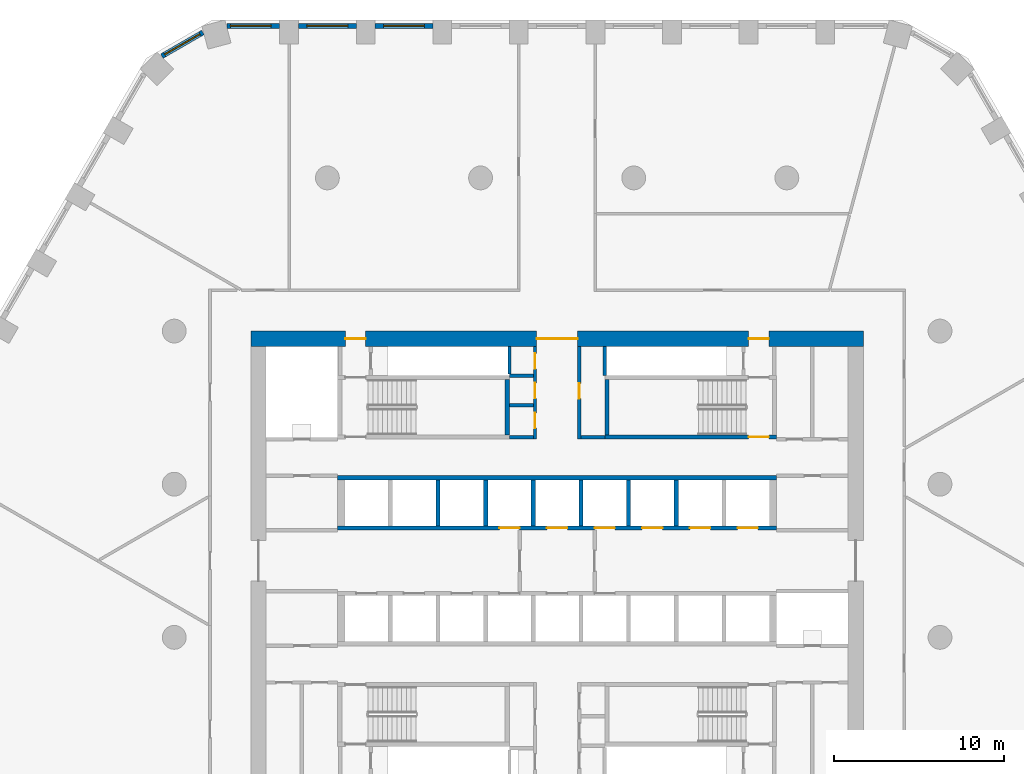
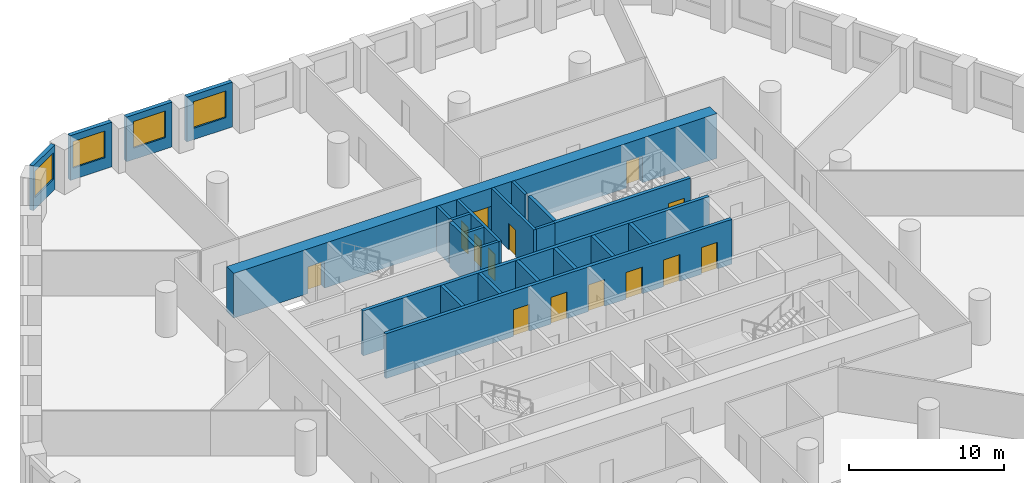
# One storey, part 6 of 10: 24 walls, 14 doors, 4 windows, 18 openings.
"""IFC4 building model written with IfcOpenShell, lengths in metres."""

from ifc_helpers import new_model, si_unit, direction, frame, frame_2d, origin, place, context, subcontext, project, spatial, polyline, rectangle, outline, extrude, material, layer, layer_set, type_object, element, fill, save


model = new_model("IFC4")

# Units and contexts
model_context = context("Model", 3, precision=1e-05, world=origin(), true_north=direction((0.0, 1.0)))
body_context = subcontext(model_context, "Body", "Model", "MODEL_VIEW")
ifc_project = project(units=[si_unit("LENGTHUNIT", "METRE"), si_unit("AREAUNIT", "SQUARE_METRE"), si_unit("VOLUMEUNIT", "CUBIC_METRE"), si_unit("PLANEANGLEUNIT", "RADIAN"), si_unit("MASSUNIT", "GRAM", prefix="KILO")], contexts=[model_context])

# Site, building, storey
site_placement = place(None, origin())
site = spatial("IfcSite", under=ifc_project, at=site_placement, CompositionType="ELEMENT")
building_placement = place(site_placement, origin())
building = spatial("IfcBuilding", under=site, at=building_placement, Name="Dhurran Vertical Campus", CompositionType="ELEMENT")
storey_placement = place(building_placement, frame((0.0, 0.0, 45.60009765625)))
storey = spatial("IfcBuildingStorey", under=building, at=storey_placement, Name="L10", CompositionType="ELEMENT", Elevation=45.60009765625)

# Wall, opening, window
ifc_material_1 = material(Name="Precast concrete C50/60", Category="concrete")
ifc_layer_1 = layer(ifc_material_1, 0.300048828125)
ifc_layer_set_1 = layer_set([ifc_layer_1], Name="Precast concrete C50/60")
wall_type_1 = type_object("IfcWallType", Name="Precast spandrel wall 300", PredefinedType="SOLIDWALL", material=ifc_layer_set_1)
wall_1_placement = place(storey_placement, frame((-7.300537109375, 31.4296875, 0.0), z_axis=(0.0, 0.0, 1.0), x_axis=(-1.0, 0.0, 0.0)))
wall_1 = element("IfcWall", 1, at=wall_1_placement, inside=storey, type_object=wall_type_1, Name="EW1 L10.32", PredefinedType="SOLIDWALL", context=body_context, shape_type="SweptSolid", body=[
    extrude(rectangle(XDim=3.39892578125, YDim=0.300048828125, at=frame_2d((1.699462890625, 0.0))), origin(), (0.0, 0.0, 1.0), 3.52490234375),
])
opening_1_placement = place(wall_1_placement, frame((0.49951171875, 0.0, 0.89990234375)))
opening_1 = element("IfcOpeningElement", 2, at=opening_1_placement, cuts=wall_1, Name="Opening WT1", PredefinedType="OPENING", context=body_context, shape_type="SweptSolid", body=[
    extrude(rectangle(XDim=2.39990234375, YDim=2.10009765625, at=frame_2d((1.199951171875, 1.050048828125))), frame((0.0, 0.159912109375, 0.0), z_axis=(0.0, -1.0, 0.0), x_axis=(1.0, 0.0, 0.0)), (0.0, 0.0, 1.0), 0.320068359375),
])
ifc_material_2 = material(Name="Aluminium frame with solar-control glass", Category="aluminium")
window_type = type_object("IfcWindowType", Name="Punched window 2400 x 2100", PartitioningType="SINGLE_PANEL", PredefinedType="WINDOW", material=ifc_material_2)
window_1_placement = place(opening_1_placement, origin())
window_1 = element("IfcWindow", 3, at=window_1_placement, inside=storey, type_object=window_type, Name="WT1 L10.32", OverallHeight=2.10009765625, OverallWidth=2.39990234375, PartitioningType="SINGLE_PANEL", PredefinedType="WINDOW", context=body_context, shape_type="SweptSolid", body=[
    extrude(rectangle(XDim=2.39990234375, YDim=2.10009765625, at=frame_2d((1.199951171875, 1.050048828125))), frame((0.0, 0.030029296875, 0.0), z_axis=(0.0, -1.0, 0.0), x_axis=(1.0, 0.0, 0.0)), (0.0, 0.0, 1.0), 0.06005859375),
])
fill(opening_1, window_1)

wall_2_placement = place(storey_placement, frame((-11.800537109375, 31.4296875, 0.0), z_axis=(0.0, 0.0, 1.0), x_axis=(-1.0, 0.0, 0.0)))
wall_2 = element("IfcWall", 4, at=wall_2_placement, inside=storey, type_object=wall_type_1, Name="EW1 L10.33", PredefinedType="SOLIDWALL", context=body_context, shape_type="SweptSolid", body=[
    extrude(rectangle(XDim=3.39892578125, YDim=0.300048828125, at=frame_2d((1.699462890625, 0.0))), origin(), (0.0, 0.0, 1.0), 3.52490234375),
])
opening_2_placement = place(wall_2_placement, frame((0.49951171875, 0.0, 0.89990234375)))
opening_2 = element("IfcOpeningElement", 5, at=opening_2_placement, cuts=wall_2, Name="Opening WT1", PredefinedType="OPENING", context=body_context, shape_type="SweptSolid", body=[
    extrude(rectangle(XDim=2.39990234375, YDim=2.10009765625, at=frame_2d((1.199951171875, 1.050048828125))), frame((0.0, 0.159912109375, 0.0), z_axis=(0.0, -1.0, 0.0), x_axis=(1.0, 0.0, 0.0)), (0.0, 0.0, 1.0), 0.320068359375),
])
window_2_placement = place(opening_2_placement, origin())
window_2 = element("IfcWindow", 6, at=window_2_placement, inside=storey, type_object=window_type, Name="WT1 L10.33", OverallHeight=2.10009765625, OverallWidth=2.39990234375, PartitioningType="SINGLE_PANEL", PredefinedType="WINDOW", context=body_context, shape_type="SweptSolid", body=[
    extrude(rectangle(XDim=2.39990234375, YDim=2.10009765625, at=frame_2d((1.199951171875, 1.050048828125))), frame((0.0, 0.030029296875, 0.0), z_axis=(0.0, -1.0, 0.0), x_axis=(1.0, 0.0, 0.0)), (0.0, 0.0, 1.0), 0.06005859375),
])
fill(opening_2, window_2)

wall_3_placement = place(storey_placement, frame((-16.300537109375, 31.4296875, 0.0), z_axis=(0.0, 0.0, 1.0), x_axis=(-1.0, 0.0, 0.0)))
wall_3 = element("IfcWall", 7, at=wall_3_placement, inside=storey, type_object=wall_type_1, Name="EW1 L10.34", PredefinedType="SOLIDWALL", context=body_context, shape_type="SweptSolid", body=[
    extrude(rectangle(XDim=3.090576171875, YDim=0.300048828125, at=frame_2d((1.54541015625, 0.0))), origin(), (0.0, 0.0, 1.0), 3.52490234375),
])
opening_3_placement = place(wall_3_placement, frame((0.49951171875, 0.0, 0.89990234375)))
opening_3 = element("IfcOpeningElement", 8, at=opening_3_placement, cuts=wall_3, Name="Opening WT1", PredefinedType="OPENING", context=body_context, shape_type="SweptSolid", body=[
    extrude(rectangle(XDim=2.39990234375, YDim=2.10009765625, at=frame_2d((1.199951171875, 1.050048828125))), frame((0.0, 0.159912109375, 0.0), z_axis=(0.0, -1.0, 0.0), x_axis=(1.0, 0.0, 0.0)), (0.0, 0.0, 1.0), 0.320068359375),
])
window_3_placement = place(opening_3_placement, origin())
window_3 = element("IfcWindow", 9, at=window_3_placement, inside=storey, type_object=window_type, Name="WT1 L10.34", OverallHeight=2.10009765625, OverallWidth=2.39990234375, PartitioningType="SINGLE_PANEL", PredefinedType="WINDOW", context=body_context, shape_type="SweptSolid", body=[
    extrude(rectangle(XDim=2.39990234375, YDim=2.10009765625, at=frame_2d((1.199951171875, 1.050048828125))), frame((0.0, 0.030029296875, 0.0), z_axis=(0.0, -1.0, 0.0), x_axis=(1.0, 0.0, 0.0)), (0.0, 0.0, 1.0), 0.06005859375),
])
fill(opening_3, window_3)

wall_4_placement = place(storey_placement, frame((-20.81884765625, 31.047119140625, 0.0), z_axis=(0.0, 0.0, 1.0), x_axis=(-0.866020456713, -0.500008568482, 0.0)))
wall_4 = element("IfcWall", 10, at=wall_4_placement, inside=storey, type_object=wall_type_1, Name="EW1 L10.35", PredefinedType="SOLIDWALL", context=body_context, shape_type="SweptSolid", body=[
    extrude(rectangle(XDim=2.7822265625, YDim=0.300048828125, at=frame_2d((1.39111328125, 0.0))), origin(), (0.0, 0.0, 1.0), 3.52490234375),
])
opening_4_placement = place(wall_4_placement, frame((0.191162109375, 0.0, 0.89990234375)))
opening_4 = element("IfcOpeningElement", 11, at=opening_4_placement, cuts=wall_4, Name="Opening WT1", PredefinedType="OPENING", context=body_context, shape_type="SweptSolid", body=[
    extrude(rectangle(XDim=2.39990234375, YDim=2.10009765625, at=frame_2d((1.199951171875, 1.050048828125))), frame((0.0, 0.159912109375, 0.0), z_axis=(0.0, -1.0, 0.0), x_axis=(1.0, 0.0, 0.0)), (0.0, 0.0, 1.0), 0.320068359375),
])
window_4_placement = place(opening_4_placement, origin())
window_4 = element("IfcWindow", 12, at=window_4_placement, inside=storey, type_object=window_type, Name="WT1 L10.35", OverallHeight=2.10009765625, OverallWidth=2.39990234375, PartitioningType="SINGLE_PANEL", PredefinedType="WINDOW", context=body_context, shape_type="SweptSolid", body=[
    extrude(rectangle(XDim=2.39990234375, YDim=2.10009765625, at=frame_2d((1.199951171875, 1.050048828125))), frame((0.0, 0.030029296875, 0.0), z_axis=(0.0, -1.0, 0.0), x_axis=(1.0, 0.0, 0.0)), (0.0, 0.0, 1.0), 0.06005859375),
])
fill(opening_4, window_4)

# Wall, openings, doors
ifc_material_3 = material(Name="Concrete C60/75", Category="concrete")
ifc_layer_2 = layer(ifc_material_3, 0.89990234375)
ifc_layer_set_2 = layer_set([ifc_layer_2], Name="Concrete C60/75")
wall_type_2 = type_object("IfcWallType", Name="co-CORE-WALL-C0-900", PredefinedType="SHEAR", material=ifc_layer_set_2)
wall_5_placement = place(storey_placement, frame((-18.0, 13.050048828125, 0.0), z_axis=(0.0, 0.0, 1.0), x_axis=(1.0, 0.0, 0.0)))
wall_5 = element("IfcWall", 13, at=wall_5_placement, inside=storey, type_object=wall_type_2, Name="Core wall N L10", PredefinedType="SHEAR", context=body_context, shape_type="SweptSolid", body=[
    extrude(rectangle(XDim=36.0, YDim=0.89990234375, at=frame_2d((18.0, 0.0))), origin(), (0.0, 0.0, 1.0), 3.52490234375),
])
opening_5_placement = place(wall_5_placement, frame((16.800048828125, 0.0, 0.0)))
opening_5 = element("IfcOpeningElement", 14, at=opening_5_placement, cuts=wall_5, Name="Opening CV1", PredefinedType="OPENING", context=body_context, shape_type="SweptSolid", body=[
    extrude(rectangle(XDim=2.39990234375, YDim=2.10009765625, at=frame_2d((1.199951171875, 1.050048828125))), frame((0.0, 0.4599609375, 0.0), z_axis=(0.0, -1.0, 0.0), x_axis=(1.0, 0.0, 0.0)), (0.0, 0.0, 1.0), 0.919921875),
])
opening_6_placement = place(wall_5_placement, frame((5.550048828125, 0.0, 0.0)))
opening_6 = element("IfcOpeningElement", 15, at=opening_6_placement, cuts=wall_5, Name="Opening XD1", PredefinedType="OPENING", context=body_context, shape_type="SweptSolid", body=[
    extrude(rectangle(XDim=1.199951171875, YDim=2.10009765625, at=frame_2d((0.60009765625, 1.050048828125))), frame((0.0, 0.4599609375, 0.0), z_axis=(0.0, -1.0, 0.0), x_axis=(1.0, 0.0, 0.0)), (0.0, 0.0, 1.0), 0.919921875),
])
opening_7_placement = place(wall_5_placement, frame((29.25, 0.0, 0.0)))
opening_7 = element("IfcOpeningElement", 16, at=opening_7_placement, cuts=wall_5, Name="Opening XD2", PredefinedType="OPENING", context=body_context, shape_type="SweptSolid", body=[
    extrude(rectangle(XDim=1.199951171875, YDim=2.10009765625, at=frame_2d((0.60009765625, 1.050048828125))), frame((0.0, 0.4599609375, 0.0), z_axis=(0.0, -1.0, 0.0), x_axis=(1.0, 0.0, 0.0)), (0.0, 0.0, 1.0), 0.919921875),
])
ifc_material_4 = material(Name="Fire-rated glazed door set")
door_type_1 = type_object("IfcDoorType", Name="co-D-LOBBY 2400x2100", OperationType="DOUBLE_DOOR_DOUBLE_SWING", PredefinedType="DOOR", material=ifc_material_4)
door_1_placement = place(opening_5_placement, origin())
door_1 = element("IfcDoor", 17, at=door_1_placement, inside=storey, type_object=door_type_1, Name="Core vestibule door N L10", OperationType="DOUBLE_DOOR_DOUBLE_SWING", OverallHeight=2.10009765625, OverallWidth=2.39990234375, PredefinedType="DOOR", context=body_context, shape_type="SweptSolid", body=[
    extrude(rectangle(XDim=2.39990234375, YDim=2.10009765625, at=frame_2d((1.199951171875, 1.050048828125))), frame((0.0, 0.02490234375, 0.0), z_axis=(0.0, -1.0, 0.0), x_axis=(1.0, 0.0, 0.0)), (0.0, 0.0, 1.0), 0.050048828125),
])
fill(opening_5, door_1)
ifc_material_5 = material(Name="Fire-rated steel door set", Category="steel")
door_type_2 = type_object("IfcDoorType", Name="co-D-STAIR-EXIT 1200x2100", OperationType="SINGLE_SWING_RIGHT", PredefinedType="DOOR", material=ifc_material_5)
door_2_placement = place(opening_6_placement, origin())
door_2 = element("IfcDoor", 18, at=door_2_placement, inside=storey, type_object=door_type_2, Name="Stair ST1 exit door L10", OperationType="SINGLE_SWING_RIGHT", OverallHeight=2.10009765625, OverallWidth=1.199951171875, PredefinedType="DOOR", context=body_context, shape_type="SweptSolid", body=[
    extrude(rectangle(XDim=1.199951171875, YDim=2.10009765625, at=frame_2d((0.60009765625, 1.050048828125))), frame((0.0, 0.02490234375, 0.0), z_axis=(0.0, -1.0, 0.0), x_axis=(1.0, 0.0, 0.0)), (0.0, 0.0, 1.0), 0.050048828125),
])
fill(opening_6, door_2)
door_3_placement = place(opening_7_placement, origin())
door_3 = element("IfcDoor", 19, at=door_3_placement, inside=storey, type_object=door_type_2, Name="Stair ST2 exit door L10", OperationType="SINGLE_SWING_RIGHT", OverallHeight=2.10009765625, OverallWidth=1.199951171875, PredefinedType="DOOR", context=body_context, shape_type="SweptSolid", body=[
    extrude(rectangle(XDim=1.199951171875, YDim=2.10009765625, at=frame_2d((0.60009765625, 1.050048828125))), frame((0.0, 0.02490234375, 0.0), z_axis=(0.0, -1.0, 0.0), x_axis=(1.0, 0.0, 0.0)), (0.0, 0.0, 1.0), 0.050048828125),
])
fill(opening_7, door_3)

# Walls
ifc_material_6 = material(Name="Fire-rated masonry blockwork", Category="masonry")
ifc_layer_3 = layer(ifc_material_6, 0.199951171875)
ifc_layer_set_3 = layer_set([ifc_layer_3], Name="Fire-rated masonry blockwork")
wall_type_3 = type_object("IfcWallType", Name="co-FIRE-PARTITION-200", PredefinedType="PARTITIONING", material=ifc_layer_set_3)
for number, where, z_axis, x_axis, name in (
    (20, (-2.800048828125, 7.25, 0.0), (0.0, 0.0, 1.0), (1.0, 0.0, 0.0), "Core partition sl-NW-S L10"),
    (21, (-2.800048828125, 9.135009765625, 0.0), (0.0, 0.0, 1.0), (1.0, 0.0, 0.0), "Core partition sl-NW-cut0 L10"),
    (22, (-2.800048828125, 10.867431640625, 0.0), (0.0, 0.0, 1.0), (1.0, 0.0, 0.0), "Core partition sl-NW-cut1 L10"),
    (23, (1.39990234375, 7.25, 0.0), (0.0, 0.0, 1.0), (1.0, 0.0, 0.0), "Core partition sl-NE-S L10"),
):
    element("IfcWall", number, at=place(storey_placement, frame(where, z_axis=z_axis, x_axis=x_axis)), inside=storey, type_object=wall_type_3, Name=name, PredefinedType="PARTITIONING", context=body_context, shape_type="SweptSolid", body=[
        extrude(rectangle(XDim=1.400146484375, YDim=0.199951171875, at=frame_2d((0.7001953125, 0.0))), origin(), (0.0, 0.0, 1.0), 3.52490234375),
    ])

# Wall, openings, doors
wall_6_placement = place(storey_placement, frame((-1.300048828125, 7.14990234375, 0.0), z_axis=(0.0, 0.0, 1.0), x_axis=(0.0, 1.0, 0.0)))
wall_6 = element("IfcWall", 24, at=wall_6_placement, inside=storey, type_object=wall_type_3, Name="Core partition vest-NW L10", PredefinedType="PARTITIONING", context=body_context, shape_type="SweptSolid", body=[
    extrude(rectangle(XDim=5.4501953125, YDim=0.199951171875, at=frame_2d((2.72509765625, 0.0))), origin(), (0.0, 0.0, 1.0), 3.52490234375),
])
opening_8_placement = place(wall_6_placement, frame((0.642578125, 0.0, 0.0)))
opening_8 = element("IfcOpeningElement", 25, at=opening_8_placement, cuts=wall_6, Name="Opening T02-C6", PredefinedType="OPENING", context=body_context, shape_type="SweptSolid", body=[
    extrude(rectangle(XDim=0.89990234375, YDim=2.10009765625, at=frame_2d((0.449951171875, 1.050048828125))), frame((0.0, 0.10986328125, 0.0), z_axis=(0.0, -1.0, 0.0), x_axis=(1.0, 0.0, 0.0)), (0.0, 0.0, 1.0), 0.219970703125),
])
opening_9_placement = place(wall_6_placement, frame((2.401123046875, 0.0, 0.0)))
opening_9 = element("IfcOpeningElement", 26, at=opening_9_placement, cuts=wall_6, Name="Opening T02-C7", PredefinedType="OPENING", context=body_context, shape_type="SweptSolid", body=[
    extrude(rectangle(XDim=0.89990234375, YDim=2.10009765625, at=frame_2d((0.449951171875, 1.050048828125))), frame((0.0, 0.10986328125, 0.0), z_axis=(0.0, -1.0, 0.0), x_axis=(1.0, 0.0, 0.0)), (0.0, 0.0, 1.0), 0.219970703125),
])
opening_10_placement = place(wall_6_placement, frame((4.1337890625, 0.0, 0.0)))
opening_10 = element("IfcOpeningElement", 27, at=opening_10_placement, cuts=wall_6, Name="Opening T02-C8", PredefinedType="OPENING", context=body_context, shape_type="SweptSolid", body=[
    extrude(rectangle(XDim=0.89990234375, YDim=2.10009765625, at=frame_2d((0.449951171875, 1.050048828125))), frame((0.0, 0.10986328125, 0.0), z_axis=(0.0, -1.0, 0.0), x_axis=(1.0, 0.0, 0.0)), (0.0, 0.0, 1.0), 0.219970703125),
])
ifc_material_7 = material(Name="Fire-rated timber door set", Category="wood")
door_type_3 = type_object("IfcDoorType", Name="co-D-ROOM 900x2100", OperationType="SINGLE_SWING_LEFT", PredefinedType="DOOR", material=ifc_material_7)
door_4_placement = place(opening_8_placement, origin())
door_4 = element("IfcDoor", 28, at=door_4_placement, inside=storey, type_object=door_type_3, Name="Waste room door L10", OperationType="SINGLE_SWING_LEFT", OverallHeight=2.10009765625, OverallWidth=0.89990234375, PredefinedType="DOOR", context=body_context, shape_type="SweptSolid", body=[
    extrude(rectangle(XDim=0.89990234375, YDim=2.10009765625, at=frame_2d((0.449951171875, 1.050048828125))), frame((0.0, 0.02490234375, 0.0), z_axis=(0.0, -1.0, 0.0), x_axis=(1.0, 0.0, 0.0)), (0.0, 0.0, 1.0), 0.050048828125),
])
fill(opening_8, door_4)
door_5_placement = place(opening_9_placement, origin())
door_5 = element("IfcDoor", 29, at=door_5_placement, inside=storey, type_object=door_type_3, Name="Pantry door L10", OperationType="SINGLE_SWING_LEFT", OverallHeight=2.10009765625, OverallWidth=0.89990234375, PredefinedType="DOOR", context=body_context, shape_type="SweptSolid", body=[
    extrude(rectangle(XDim=0.89990234375, YDim=2.10009765625, at=frame_2d((0.449951171875, 1.050048828125))), frame((0.0, 0.02490234375, 0.0), z_axis=(0.0, -1.0, 0.0), x_axis=(1.0, 0.0, 0.0)), (0.0, 0.0, 1.0), 0.050048828125),
])
fill(opening_9, door_5)
door_6_placement = place(opening_10_placement, origin())
door_6 = element("IfcDoor", 30, at=door_6_placement, inside=storey, type_object=door_type_3, Name="Cleaner's store door L10", OperationType="SINGLE_SWING_LEFT", OverallHeight=2.10009765625, OverallWidth=0.89990234375, PredefinedType="DOOR", context=body_context, shape_type="SweptSolid", body=[
    extrude(rectangle(XDim=0.89990234375, YDim=2.10009765625, at=frame_2d((0.449951171875, 1.050048828125))), frame((0.0, 0.02490234375, 0.0), z_axis=(0.0, -1.0, 0.0), x_axis=(1.0, 0.0, 0.0)), (0.0, 0.0, 1.0), 0.050048828125),
])
fill(opening_10, door_6)

# Wall, opening, door
wall_7_placement = place(storey_placement, frame((1.300048828125, 7.14990234375, 0.0), z_axis=(0.0, 0.0, 1.0), x_axis=(0.0, 1.0, 0.0)))
wall_7 = element("IfcWall", 31, at=wall_7_placement, inside=storey, type_object=wall_type_3, Name="Core partition vest-NE L10", PredefinedType="PARTITIONING", context=body_context, shape_type="SweptSolid", body=[
    extrude(rectangle(XDim=5.4501953125, YDim=0.199951171875, at=frame_2d((2.72509765625, 0.0))), origin(), (0.0, 0.0, 1.0), 3.52490234375),
])
opening_11_placement = place(wall_7_placement, frame((2.375, 0.0, 0.0)))
opening_11 = element("IfcOpeningElement", 32, at=opening_11_placement, cuts=wall_7, Name="Opening T02-C9", PredefinedType="OPENING", context=body_context, shape_type="SweptSolid", body=[
    extrude(rectangle(XDim=0.89990234375, YDim=2.10009765625, at=frame_2d((0.449951171875, 1.050048828125))), frame((0.0, 0.10986328125, 0.0), z_axis=(0.0, -1.0, 0.0), x_axis=(1.0, 0.0, 0.0)), (0.0, 0.0, 1.0), 0.219970703125),
])
door_7_placement = place(opening_11_placement, origin())
door_7 = element("IfcDoor", 33, at=door_7_placement, inside=storey, type_object=door_type_3, Name="Fire equipment store door L10", OperationType="SINGLE_SWING_LEFT", OverallHeight=2.10009765625, OverallWidth=0.89990234375, PredefinedType="DOOR", context=body_context, shape_type="SweptSolid", body=[
    extrude(rectangle(XDim=0.89990234375, YDim=2.10009765625, at=frame_2d((0.449951171875, 1.050048828125))), frame((0.0, 0.02490234375, 0.0), z_axis=(0.0, -1.0, 0.0), x_axis=(1.0, 0.0, 0.0)), (0.0, 0.0, 1.0), 0.050048828125),
])
fill(opening_11, door_7)

# Walls
wall_8_placement = place(storey_placement, frame((-2.800048828125, 10.968505859375, 0.0), z_axis=(0.0, 0.0, 1.0), x_axis=(0.0, 1.0, 0.0)))
element("IfcWall", 34, at=wall_8_placement, inside=storey, type_object=wall_type_3, Name="Riser enclosure wall L10", PredefinedType="PARTITIONING", context=body_context, shape_type="SweptSolid", body=[
    extrude(rectangle(XDim=1.630615234375, YDim=0.199951171875, at=frame_2d((0.8154296875, 0.0))), origin(), (0.0, 0.0, 1.0), 3.52490234375),
])
wall_9_placement = place(storey_placement, frame((2.800048828125, 12.59912109375, 0.0), z_axis=(0.0, 0.0, 1.0), x_axis=(0.0, -1.0, 0.0)))
element("IfcWall", 35, at=wall_9_placement, inside=storey, type_object=wall_type_3, Name="Riser enclosure wall L10", PredefinedType="PARTITIONING", context=body_context, shape_type="SweptSolid", body=[
    extrude(rectangle(XDim=1.6982421875, YDim=0.199951171875, at=frame_2d((0.84912109375, 0.0))), origin(), (0.0, 0.0, 1.0), 3.52490234375),
])

# Wall, openings, doors
ifc_material_8 = material(Name="Concrete C50/60", Category="concrete")
ifc_layer_4 = layer(ifc_material_8, 0.25)
ifc_layer_set_4 = layer_set([ifc_layer_4], Name="Concrete C50/60")
wall_type_4 = type_object("IfcWallType", Name="co-SHAFT-FRONT-250", PredefinedType="SHEAR", material=ifc_layer_set_4)
wall_10_placement = place(storey_placement, frame((-12.89990234375, 1.925048828125, 0.0), z_axis=(0.0, 0.0, 1.0), x_axis=(1.0, 0.0, 0.0)))
wall_10 = element("IfcWall", 36, at=wall_10_placement, inside=storey, type_object=wall_type_4, Name="Lift landing wall N L10", PredefinedType="SHEAR", context=body_context, shape_type="SweptSolid", body=[
    extrude(rectangle(XDim=25.7998046875, YDim=0.25, at=frame_2d((12.89990234375, 0.0))), origin(), (0.0, 0.0, 1.0), 3.52490234375),
])
opening_12_placement = place(wall_10_placement, frame((9.5, 0.0, 0.0)))
opening_12 = element("IfcOpeningElement", 37, at=opening_12_placement, cuts=wall_10, Name="Opening LD", PredefinedType="OPENING", context=body_context, shape_type="SweptSolid", body=[
    extrude(rectangle(XDim=1.199951171875, YDim=2.10009765625, at=frame_2d((0.60009765625, 1.050048828125))), frame((0.0, 0.135009765625, 0.0), z_axis=(0.0, -1.0, 0.0), x_axis=(1.0, 0.0, 0.0)), (0.0, 0.0, 1.0), 0.27001953125),
])
opening_13_placement = place(wall_10_placement, frame((12.300048828125, 0.0, 0.0)))
opening_13 = element("IfcOpeningElement", 38, at=opening_13_placement, cuts=wall_10, Name="Opening LD", PredefinedType="OPENING", context=body_context, shape_type="SweptSolid", body=[
    extrude(rectangle(XDim=1.199951171875, YDim=2.10009765625, at=frame_2d((0.60009765625, 1.050048828125))), frame((0.0, 0.135009765625, 0.0), z_axis=(0.0, -1.0, 0.0), x_axis=(1.0, 0.0, 0.0)), (0.0, 0.0, 1.0), 0.27001953125),
])
opening_14_placement = place(wall_10_placement, frame((15.10009765625, 0.0, 0.0)))
opening_14 = element("IfcOpeningElement", 39, at=opening_14_placement, cuts=wall_10, Name="Opening LD", PredefinedType="OPENING", context=body_context, shape_type="SweptSolid", body=[
    extrude(rectangle(XDim=1.199951171875, YDim=2.10009765625, at=frame_2d((0.60009765625, 1.050048828125))), frame((0.0, 0.135009765625, 0.0), z_axis=(0.0, -1.0, 0.0), x_axis=(1.0, 0.0, 0.0)), (0.0, 0.0, 1.0), 0.27001953125),
])
opening_15_placement = place(wall_10_placement, frame((17.89990234375, 0.0, 0.0)))
opening_15 = element("IfcOpeningElement", 40, at=opening_15_placement, cuts=wall_10, Name="Opening LD", PredefinedType="OPENING", context=body_context, shape_type="SweptSolid", body=[
    extrude(rectangle(XDim=1.199951171875, YDim=2.10009765625, at=frame_2d((0.60009765625, 1.050048828125))), frame((0.0, 0.135009765625, 0.0), z_axis=(0.0, -1.0, 0.0), x_axis=(1.0, 0.0, 0.0)), (0.0, 0.0, 1.0), 0.27001953125),
])
opening_16_placement = place(wall_10_placement, frame((20.699951171875, 0.0, 0.0)))
opening_16 = element("IfcOpeningElement", 41, at=opening_16_placement, cuts=wall_10, Name="Opening LD", PredefinedType="OPENING", context=body_context, shape_type="SweptSolid", body=[
    extrude(rectangle(XDim=1.199951171875, YDim=2.10009765625, at=frame_2d((0.60009765625, 1.050048828125))), frame((0.0, 0.135009765625, 0.0), z_axis=(0.0, -1.0, 0.0), x_axis=(1.0, 0.0, 0.0)), (0.0, 0.0, 1.0), 0.27001953125),
])
opening_17_placement = place(wall_10_placement, frame((23.5, 0.0, 0.0)))
opening_17 = element("IfcOpeningElement", 42, at=opening_17_placement, cuts=wall_10, Name="Opening LD", PredefinedType="OPENING", context=body_context, shape_type="SweptSolid", body=[
    extrude(rectangle(XDim=1.199951171875, YDim=2.10009765625, at=frame_2d((0.60009765625, 1.050048828125))), frame((0.0, 0.135009765625, 0.0), z_axis=(0.0, -1.0, 0.0), x_axis=(1.0, 0.0, 0.0)), (0.0, 0.0, 1.0), 0.27001953125),
])
ifc_material_9 = material(Name="Stainless steel landing door", Category="steel")
door_type_4 = type_object("IfcDoorType", Name="co-D-LANDING 1200x2100", OperationType="DOUBLE_DOOR_SLIDING", PredefinedType="DOOR", material=ifc_material_9)
door_8_placement = place(opening_12_placement, origin())
door_8 = element("IfcDoor", 43, at=door_8_placement, inside=storey, type_object=door_type_4, Name="Landing door LR1 L10", OperationType="DOUBLE_DOOR_SLIDING", OverallHeight=2.10009765625, OverallWidth=1.199951171875, PredefinedType="DOOR", context=body_context, shape_type="SweptSolid", body=[
    extrude(rectangle(XDim=1.199951171875, YDim=2.10009765625, at=frame_2d((0.60009765625, 1.050048828125))), frame((0.0, 0.02490234375, 0.0), z_axis=(0.0, -1.0, 0.0), x_axis=(1.0, 0.0, 0.0)), (0.0, 0.0, 1.0), 0.050048828125),
])
fill(opening_12, door_8)
door_9_placement = place(opening_13_placement, origin())
door_9 = element("IfcDoor", 44, at=door_9_placement, inside=storey, type_object=door_type_4, Name="Landing door FF1 L10", OperationType="DOUBLE_DOOR_SLIDING", OverallHeight=2.10009765625, OverallWidth=1.199951171875, PredefinedType="DOOR", context=body_context, shape_type="SweptSolid", body=[
    extrude(rectangle(XDim=1.199951171875, YDim=2.10009765625, at=frame_2d((0.60009765625, 1.050048828125))), frame((0.0, 0.02490234375, 0.0), z_axis=(0.0, -1.0, 0.0), x_axis=(1.0, 0.0, 0.0)), (0.0, 0.0, 1.0), 0.050048828125),
])
fill(opening_13, door_9)
door_10_placement = place(opening_14_placement, origin())
door_10 = element("IfcDoor", 45, at=door_10_placement, inside=storey, type_object=door_type_4, Name="Landing door LR2 L10", OperationType="DOUBLE_DOOR_SLIDING", OverallHeight=2.10009765625, OverallWidth=1.199951171875, PredefinedType="DOOR", context=body_context, shape_type="SweptSolid", body=[
    extrude(rectangle(XDim=1.199951171875, YDim=2.10009765625, at=frame_2d((0.60009765625, 1.050048828125))), frame((0.0, 0.02490234375, 0.0), z_axis=(0.0, -1.0, 0.0), x_axis=(1.0, 0.0, 0.0)), (0.0, 0.0, 1.0), 0.050048828125),
])
fill(opening_14, door_10)
door_11_placement = place(opening_15_placement, origin())
door_11 = element("IfcDoor", 46, at=door_11_placement, inside=storey, type_object=door_type_4, Name="Landing door LR3 L10", OperationType="DOUBLE_DOOR_SLIDING", OverallHeight=2.10009765625, OverallWidth=1.199951171875, PredefinedType="DOOR", context=body_context, shape_type="SweptSolid", body=[
    extrude(rectangle(XDim=1.199951171875, YDim=2.10009765625, at=frame_2d((0.60009765625, 1.050048828125))), frame((0.0, 0.02490234375, 0.0), z_axis=(0.0, -1.0, 0.0), x_axis=(1.0, 0.0, 0.0)), (0.0, 0.0, 1.0), 0.050048828125),
])
fill(opening_15, door_11)
door_12_placement = place(opening_16_placement, origin())
door_12 = element("IfcDoor", 47, at=door_12_placement, inside=storey, type_object=door_type_4, Name="Landing door LR4 L10", OperationType="DOUBLE_DOOR_SLIDING", OverallHeight=2.10009765625, OverallWidth=1.199951171875, PredefinedType="DOOR", context=body_context, shape_type="SweptSolid", body=[
    extrude(rectangle(XDim=1.199951171875, YDim=2.10009765625, at=frame_2d((0.60009765625, 1.050048828125))), frame((0.0, 0.02490234375, 0.0), z_axis=(0.0, -1.0, 0.0), x_axis=(1.0, 0.0, 0.0)), (0.0, 0.0, 1.0), 0.050048828125),
])
fill(opening_16, door_12)
door_13_placement = place(opening_17_placement, origin())
door_13 = element("IfcDoor", 48, at=door_13_placement, inside=storey, type_object=door_type_4, Name="Landing door SV2 L10", OperationType="DOUBLE_DOOR_SLIDING", OverallHeight=2.10009765625, OverallWidth=1.199951171875, PredefinedType="DOOR", context=body_context, shape_type="SweptSolid", body=[
    extrude(rectangle(XDim=1.199951171875, YDim=2.10009765625, at=frame_2d((0.60009765625, 1.050048828125))), frame((0.0, 0.02490234375, 0.0), z_axis=(0.0, -1.0, 0.0), x_axis=(1.0, 0.0, 0.0)), (0.0, 0.0, 1.0), 0.050048828125),
])
fill(opening_17, door_13)

# Walls
ifc_material_10 = material(Name="Concrete C50/60", Category="concrete")
ifc_layer_5 = layer(ifc_material_10, 0.25)
ifc_layer_set_5 = layer_set([ifc_layer_5], Name="Concrete C50/60")
wall_type_5 = type_object("IfcWallType", Name="co-SHAFT-MASS-250", PredefinedType="SHEAR", material=ifc_layer_set_5)
wall_11_placement = place(storey_placement, origin())
element("IfcWall", 49, at=wall_11_placement, inside=storey, type_object=wall_type_5, Name="Lift shaft wall N L10 1", PredefinedType="SHEAR", context=body_context, shape_type="SweptSolid", body=[
    extrude(outline(polyline([(-12.89990234375, 4.75), (12.89990234375, 4.75), (12.89990234375, 5.0), (-12.89990234375, 5.0), (-12.89990234375, 4.75)])), origin(), (0.0, 0.0, 1.0), 3.52490234375),
])
wall_12_placement = place(storey_placement, origin())
element("IfcWall", 50, at=wall_12_placement, inside=storey, type_object=wall_type_5, Name="Lift shaft wall N L10 4", PredefinedType="SHEAR", context=body_context, shape_type="SweptSolid", body=[
    extrude(outline(polyline([(-7.125, 2.050048828125), (-6.875, 2.050048828125), (-6.875, 4.75), (-7.125, 4.75), (-7.125, 2.050048828125)])), origin(), (0.0, 0.0, 1.0), 3.52490234375),
])
wall_13_placement = place(storey_placement, origin())
element("IfcWall", 51, at=wall_13_placement, inside=storey, type_object=wall_type_5, Name="Lift shaft wall N L10 5", PredefinedType="SHEAR", context=body_context, shape_type="SweptSolid", body=[
    extrude(outline(polyline([(-4.324951171875, 2.050048828125), (-4.074951171875, 2.050048828125), (-4.074951171875, 4.75), (-4.324951171875, 4.75), (-4.324951171875, 2.050048828125)])), origin(), (0.0, 0.0, 1.0), 3.52490234375),
])
wall_14_placement = place(storey_placement, origin())
element("IfcWall", 52, at=wall_14_placement, inside=storey, type_object=wall_type_5, Name="Lift shaft wall N L10 6", PredefinedType="SHEAR", context=body_context, shape_type="SweptSolid", body=[
    extrude(outline(polyline([(-1.52490234375, 2.050048828125), (-1.27490234375, 2.050048828125), (-1.27490234375, 4.75), (-1.52490234375, 4.75), (-1.52490234375, 2.050048828125)])), origin(), (0.0, 0.0, 1.0), 3.52490234375),
])
wall_15_placement = place(storey_placement, origin())
element("IfcWall", 53, at=wall_15_placement, inside=storey, type_object=wall_type_5, Name="Lift shaft wall N L10 7", PredefinedType="SHEAR", context=body_context, shape_type="SweptSolid", body=[
    extrude(outline(polyline([(1.27490234375, 2.050048828125), (1.52490234375, 2.050048828125), (1.52490234375, 4.75), (1.27490234375, 4.75), (1.27490234375, 2.050048828125)])), origin(), (0.0, 0.0, 1.0), 3.52490234375),
])
wall_16_placement = place(storey_placement, origin())
element("IfcWall", 54, at=wall_16_placement, inside=storey, type_object=wall_type_5, Name="Lift shaft wall N L10 8", PredefinedType="SHEAR", context=body_context, shape_type="SweptSolid", body=[
    extrude(outline(polyline([(4.074951171875, 2.050048828125), (4.324951171875, 2.050048828125), (4.324951171875, 4.75), (4.074951171875, 4.75), (4.074951171875, 2.050048828125)])), origin(), (0.0, 0.0, 1.0), 3.52490234375),
])
wall_17_placement = place(storey_placement, origin())
element("IfcWall", 55, at=wall_17_placement, inside=storey, type_object=wall_type_5, Name="Lift shaft wall N L10 9", PredefinedType="SHEAR", context=body_context, shape_type="SweptSolid", body=[
    extrude(outline(polyline([(6.875, 2.050048828125), (7.125, 2.050048828125), (7.125, 4.75), (6.875, 4.75), (6.875, 2.050048828125)])), origin(), (0.0, 0.0, 1.0), 3.52490234375),
])
ifc_material_11 = material(Name="Concrete C40/50", Category="concrete")
ifc_layer_6 = layer(ifc_material_11, 0.25)
ifc_layer_set_6 = layer_set([ifc_layer_6], Name="Concrete C40/50")
wall_type_6 = type_object("IfcWallType", Name="co-STAIR-WALL-250", PredefinedType="SHEAR", material=ifc_layer_set_6)
wall_18_placement = place(storey_placement, frame((-2.925048828125, 7.39990234375, 0.0), z_axis=(0.0, 0.0, 1.0), x_axis=(0.0, 1.0, 0.0)))
element("IfcWall", 56, at=wall_18_placement, inside=storey, type_object=wall_type_6, Name="Stair ST1 enclosure wall L10", PredefinedType="SHEAR", context=body_context, shape_type="SweptSolid", body=[
    extrude(rectangle(XDim=3.25, YDim=0.25, at=frame_2d((1.625, 0.0))), origin(), (0.0, 0.0, 1.0), 3.52490234375),
])

# Wall, opening, door
wall_19_placement = place(storey_placement, frame((2.800048828125, 7.27490234375, 0.0), z_axis=(0.0, 0.0, 1.0), x_axis=(1.0, 0.0, 0.0)))
wall_19 = element("IfcWall", 57, at=wall_19_placement, inside=storey, type_object=wall_type_6, Name="Stair ST2 enclosure wall L10", PredefinedType="SHEAR", context=body_context, shape_type="SweptSolid", body=[
    extrude(rectangle(XDim=10.099853515625, YDim=0.25, at=frame_2d((5.0498046875, 0.0))), origin(), (0.0, 0.0, 1.0), 3.52490234375),
])
opening_18_placement = place(wall_19_placement, frame((8.449951171875, 0.0, 0.0)))
opening_18 = element("IfcOpeningElement", 58, at=opening_18_placement, cuts=wall_19, Name="Opening SD2", PredefinedType="OPENING", context=body_context, shape_type="SweptSolid", body=[
    extrude(rectangle(XDim=1.199951171875, YDim=2.10009765625, at=frame_2d((0.60009765625, 1.050048828125))), frame((0.0, 0.135009765625, 0.0), z_axis=(0.0, -1.0, 0.0), x_axis=(1.0, 0.0, 0.0)), (0.0, 0.0, 1.0), 0.27001953125),
])
ifc_material_12 = material(Name="Fire-rated steel door set", Category="steel")
door_type_5 = type_object("IfcDoorType", Name="co-D-STAIR 1200x2100", OperationType="SINGLE_SWING_LEFT", PredefinedType="DOOR", material=ifc_material_12)
door_14_placement = place(opening_18_placement, origin())
door_14 = element("IfcDoor", 59, at=door_14_placement, inside=storey, type_object=door_type_5, Name="Stair ST2 door L10", OperationType="SINGLE_SWING_LEFT", OverallHeight=2.10009765625, OverallWidth=1.199951171875, PredefinedType="DOOR", context=body_context, shape_type="SweptSolid", body=[
    extrude(rectangle(XDim=1.199951171875, YDim=2.10009765625, at=frame_2d((0.60009765625, 1.050048828125))), frame((0.0, 0.02490234375, 0.0), z_axis=(0.0, -1.0, 0.0), x_axis=(1.0, 0.0, 0.0)), (0.0, 0.0, 1.0), 0.050048828125),
])
fill(opening_18, door_14)

# Wall
wall_20_placement = place(storey_placement, frame((2.925048828125, 7.39990234375, 0.0), z_axis=(0.0, 0.0, 1.0), x_axis=(0.0, 1.0, 0.0)))
element("IfcWall", 60, at=wall_20_placement, inside=storey, type_object=wall_type_6, Name="Stair ST2 enclosure wall L10", PredefinedType="SHEAR", context=body_context, shape_type="SweptSolid", body=[
    extrude(rectangle(XDim=3.25, YDim=0.25, at=frame_2d((1.625, 0.0))), origin(), (0.0, 0.0, 1.0), 3.52490234375),
])

save(model, "model.ifc")
